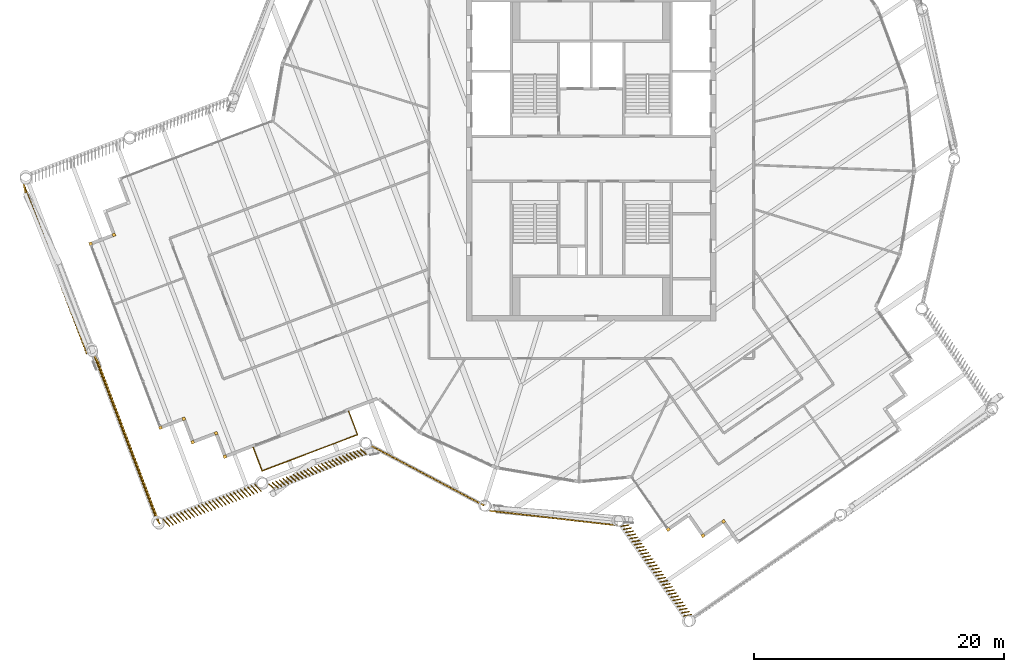
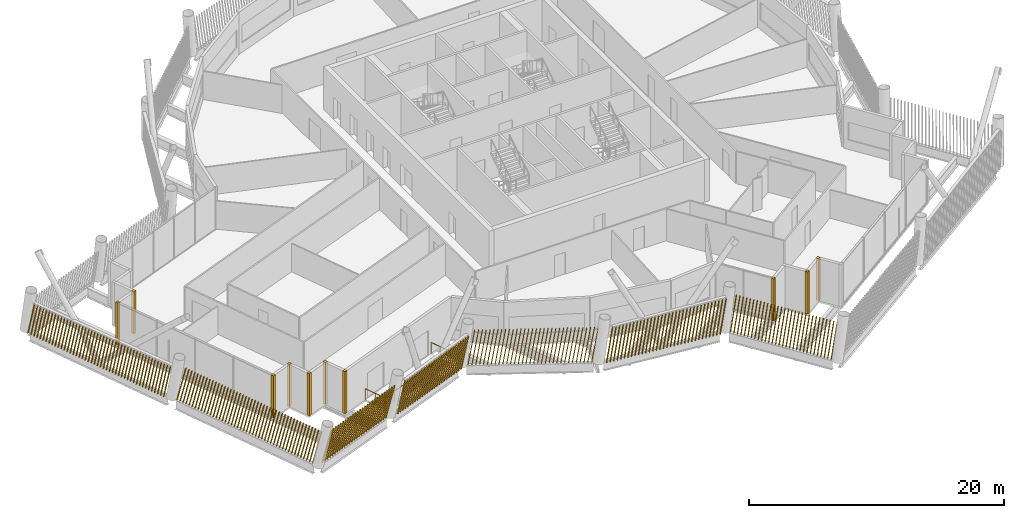
# One storey, part 29 of 33: 17 shading devices, 1 railing.
"""IFC4 building model written with IfcOpenShell, lengths in metres."""

from ifc_helpers import new_model, si_unit, direction, frame, frame_2d, origin, origin_2d, place, context, subcontext, project, spatial, rectangle, circle, composite_profile, extrude, material, type_object, element, save


model = new_model("IFC4")

# Units and contexts
model_context = context("Model", 3, precision=1e-05, world=origin(), true_north=direction((0.0, 1.0)))
body_context = subcontext(model_context, "Body", "Model", "MODEL_VIEW")
ifc_project = project(units=[si_unit("LENGTHUNIT", "METRE"), si_unit("AREAUNIT", "SQUARE_METRE"), si_unit("VOLUMEUNIT", "CUBIC_METRE"), si_unit("PLANEANGLEUNIT", "RADIAN"), si_unit("MASSUNIT", "GRAM", prefix="KILO")], contexts=[model_context])

# Site, building, storey
site_placement = place(None, origin())
site = spatial("IfcSite", under=ifc_project, at=site_placement, CompositionType="ELEMENT")
building_placement = place(site_placement, origin())
building = spatial("IfcBuilding", under=site, at=building_placement, Name="Tarsis Ring Headquarters", CompositionType="ELEMENT")
storey_placement = place(building_placement, frame((0.0, 0.0, 369.199951171875)))
storey = spatial("IfcBuildingStorey", under=building, at=storey_placement, Name="L87", CompositionType="ELEMENT", Elevation=369.199951171875)

# Railing
ifc_material_1 = material(Name="Stainless steel guard", Category="steel")
railing_type = type_object("IfcRailingType", Name="Balcony balustrade with mesh infill 1100", PredefinedType="BALUSTRADE", material=ifc_material_1)
railing_placement = place(storey_placement, frame((-27.055419921875, -23.114013671875, 0.0)))
element("IfcRailing", 1, at=railing_placement, inside=storey, type_object=railing_type, Name="Balcony balustrade L87-01", PredefinedType="BALUSTRADE", context=body_context, shape_type="SweptSolid", body=[
    extrude(circle(Radius=0.030029296875, at=origin_2d()), frame((0.0, 0.0, 1.070068359375), z_axis=(0.355106822561, -0.934825729519, 0.0), x_axis=(0.934825729519, 0.355106822561, 0.0)), (0.0, 0.0, 1.0), 2.0),
    extrude(circle(Radius=0.030029296875, at=origin_2d()), frame((0.710205078125, -1.86962890625, 1.070068359375), z_axis=(0.934829007255, 0.355098193737, 0.0), x_axis=(-0.355098193737, 0.934829007255, 0.0)), (0.0, 0.0, 1.0), 8.171875),
    extrude(circle(Radius=0.030029296875, at=origin_2d()), frame((8.349609375, 1.0322265625, 1.070068359375), z_axis=(-0.355106822561, 0.934825729519, 0.0), x_axis=(-0.934825729519, -0.355106822561, 0.0)), (0.0, 0.0, 1.0), 2.0),
    extrude(circle(Radius=0.02490234375, at=origin_2d()), origin(), (0.0, 0.0, 1.0), 1.0400390625),
    extrude(circle(Radius=0.02490234375, at=origin_2d()), frame((0.35498046875, -0.934814453125, 0.0)), (0.0, 0.0, 1.0), 1.0400390625),
    extrude(circle(Radius=0.02490234375, at=origin_2d()), frame((0.710205078125, -1.86962890625, 0.0)), (0.0, 0.0, 1.0), 1.0400390625),
    extrude(circle(Radius=0.02490234375, at=origin_2d()), frame((1.801513671875, -1.455078125, 0.0)), (0.0, 0.0, 1.0), 1.0400390625),
    extrude(circle(Radius=0.02490234375, at=origin_2d()), frame((2.892822265625, -1.04052734375, 0.0)), (0.0, 0.0, 1.0), 1.0400390625),
    extrude(circle(Radius=0.02490234375, at=origin_2d()), frame((3.984130859375, -0.6259765625, 0.0)), (0.0, 0.0, 1.0), 1.0400390625),
    extrude(circle(Radius=0.02490234375, at=origin_2d()), frame((5.07568359375, -0.21142578125, 0.0)), (0.0, 0.0, 1.0), 1.0400390625),
    extrude(circle(Radius=0.02490234375, at=origin_2d()), frame((6.1669921875, 0.203125, 0.0)), (0.0, 0.0, 1.0), 1.0400390625),
    extrude(circle(Radius=0.02490234375, at=origin_2d()), frame((7.25830078125, 0.61767578125, 0.0)), (0.0, 0.0, 1.0), 1.0400390625),
    extrude(circle(Radius=0.02490234375, at=origin_2d()), frame((8.349609375, 1.0322265625, 0.0)), (0.0, 0.0, 1.0), 1.0400390625),
    extrude(circle(Radius=0.02490234375, at=origin_2d()), frame((7.99462890625, 1.967041015625, 0.0)), (0.0, 0.0, 1.0), 1.0400390625),
    extrude(circle(Radius=0.02490234375, at=origin_2d()), frame((7.639404296875, 2.90185546875, 0.0)), (0.0, 0.0, 1.0), 1.0400390625),
])

# Shading devices
ifc_material_2 = material(Name="Terracotta baguette", Category="masonry")
shading_device_type_1 = type_object("IfcShadingDeviceType", Name="Terracotta baguette screen", PredefinedType="USERDEFINED", material=ifc_material_2)
shading_device_1_placement = place(storey_placement, frame((-8.1357421875, -28.1787109375, 0.0), z_axis=(0.0, 0.0, 1.0), x_axis=(0.993554028732, -0.113454091193, 0.0)))
element("IfcShadingDevice", 2, at=shading_device_1_placement, inside=storey, type_object=shading_device_type_1, Name="Baguette screen L87-00", ObjectType="Terracotta baguette screen", PredefinedType="USERDEFINED", context=body_context, shape_type="SweptSolid", body=[
    extrude(composite_profile([rectangle(XDim=0.06005859375, YDim=0.1201171875, at=frame_2d((0.030029296875, 0.0))), rectangle(XDim=0.06005859375, YDim=0.1201171875, at=frame_2d((0.33349609375, 0.0))), rectangle(XDim=0.06005859375, YDim=0.1201171875, at=frame_2d((0.636962890625, 0.0))), rectangle(XDim=0.06005859375, YDim=0.1201171875, at=frame_2d((0.9404296875, 0.0))), rectangle(XDim=0.06005859375, YDim=0.1201171875, at=frame_2d((1.243896484375, 0.0))), rectangle(XDim=0.06005859375, YDim=0.1201171875, at=frame_2d((1.54736328125, 0.0))), rectangle(XDim=0.06005859375, YDim=0.1201171875, at=frame_2d((1.85107421875, 0.0))), rectangle(XDim=0.06005859375, YDim=0.1201171875, at=frame_2d((2.154541015625, 0.0))), rectangle(XDim=0.06005859375, YDim=0.1201171875, at=frame_2d((2.4580078125, 0.0))), rectangle(XDim=0.06005859375, YDim=0.1201171875, at=frame_2d((2.761474609375, 0.0))), rectangle(XDim=0.06005859375, YDim=0.1201171875, at=frame_2d((3.06494140625, 0.0))), rectangle(XDim=0.06005859375, YDim=0.1201171875, at=frame_2d((3.368408203125, 0.0))), rectangle(XDim=0.06005859375, YDim=0.1201171875, at=frame_2d((3.671875, 0.0))), rectangle(XDim=0.06005859375, YDim=0.1201171875, at=frame_2d((3.975341796875, 0.0))), rectangle(XDim=0.06005859375, YDim=0.1201171875, at=frame_2d((4.27880859375, 0.0))), rectangle(XDim=0.06005859375, YDim=0.1201171875, at=frame_2d((4.582275390625, 0.0))), rectangle(XDim=0.06005859375, YDim=0.1201171875, at=frame_2d((4.8857421875, 0.0))), rectangle(XDim=0.06005859375, YDim=0.1201171875, at=frame_2d((5.189453125, 0.0))), rectangle(XDim=0.06005859375, YDim=0.1201171875, at=frame_2d((5.492919921875, 0.0))), rectangle(XDim=0.06005859375, YDim=0.1201171875, at=frame_2d((5.79638671875, 0.0))), rectangle(XDim=0.06005859375, YDim=0.1201171875, at=frame_2d((6.099853515625, 0.0))), rectangle(XDim=0.06005859375, YDim=0.1201171875, at=frame_2d((6.4033203125, 0.0))), rectangle(XDim=0.06005859375, YDim=0.1201171875, at=frame_2d((6.706787109375, 0.0))), rectangle(XDim=0.06005859375, YDim=0.1201171875, at=frame_2d((7.01025390625, 0.0))), rectangle(XDim=0.06005859375, YDim=0.1201171875, at=frame_2d((7.313720703125, 0.0))), rectangle(XDim=0.06005859375, YDim=0.1201171875, at=frame_2d((7.6171875, 0.0))), rectangle(XDim=0.06005859375, YDim=0.1201171875, at=frame_2d((7.920654296875, 0.0))), rectangle(XDim=0.06005859375, YDim=0.1201171875, at=frame_2d((8.224365234375, 0.0))), rectangle(XDim=0.06005859375, YDim=0.1201171875, at=frame_2d((8.52783203125, 0.0))), rectangle(XDim=0.06005859375, YDim=0.1201171875, at=frame_2d((8.831298828125, 0.0))), rectangle(XDim=0.06005859375, YDim=0.1201171875, at=frame_2d((9.134765625, 0.0))), rectangle(XDim=0.06005859375, YDim=0.1201171875, at=frame_2d((9.438232421875, 0.0))), rectangle(XDim=0.06005859375, YDim=0.1201171875, at=frame_2d((9.74169921875, 0.0)))]), origin(), (0.157999183958, 0.001432166411, 0.987438204025), 3.322265625),
])
shading_device_2_placement = place(storey_placement, frame((2.397705078125, -29.382080078125, 0.0), z_axis=(0.0, 0.0, 1.0), x_axis=(0.570695726922, -0.821174056512, 0.0)))
element("IfcShadingDevice", 3, at=shading_device_2_placement, inside=storey, type_object=shading_device_type_1, Name="Baguette screen L87-01", ObjectType="Terracotta baguette screen", PredefinedType="USERDEFINED", context=body_context, shape_type="SweptSolid", body=[
    extrude(composite_profile([rectangle(XDim=0.06005859375, YDim=0.1201171875, at=frame_2d((0.030029296875, 0.0))), rectangle(XDim=0.06005859375, YDim=0.1201171875, at=frame_2d((0.33154296875, 0.0))), rectangle(XDim=0.06005859375, YDim=0.1201171875, at=frame_2d((0.633056640625, 0.0))), rectangle(XDim=0.06005859375, YDim=0.1201171875, at=frame_2d((0.9345703125, 0.0))), rectangle(XDim=0.06005859375, YDim=0.1201171875, at=frame_2d((1.236083984375, 0.0))), rectangle(XDim=0.06005859375, YDim=0.1201171875, at=frame_2d((1.53759765625, 0.0))), rectangle(XDim=0.06005859375, YDim=0.1201171875, at=frame_2d((1.839111328125, 0.0))), rectangle(XDim=0.06005859375, YDim=0.1201171875, at=frame_2d((2.140625, 0.0))), rectangle(XDim=0.06005859375, YDim=0.1201171875, at=frame_2d((2.442138671875, 0.0))), rectangle(XDim=0.06005859375, YDim=0.1201171875, at=frame_2d((2.74365234375, 0.0))), rectangle(XDim=0.06005859375, YDim=0.1201171875, at=frame_2d((3.045166015625, 0.0))), rectangle(XDim=0.06005859375, YDim=0.1201171875, at=frame_2d((3.3466796875, 0.0))), rectangle(XDim=0.06005859375, YDim=0.1201171875, at=frame_2d((3.648193359375, 0.0))), rectangle(XDim=0.06005859375, YDim=0.1201171875, at=frame_2d((3.94970703125, 0.0))), rectangle(XDim=0.06005859375, YDim=0.1201171875, at=frame_2d((4.251220703125, 0.0))), rectangle(XDim=0.06005859375, YDim=0.1201171875, at=frame_2d((4.552978515625, 0.0))), rectangle(XDim=0.06005859375, YDim=0.1201171875, at=frame_2d((4.8544921875, 0.0))), rectangle(XDim=0.06005859375, YDim=0.1201171875, at=frame_2d((5.156005859375, 0.0))), rectangle(XDim=0.06005859375, YDim=0.1201171875, at=frame_2d((5.45751953125, 0.0))), rectangle(XDim=0.06005859375, YDim=0.1201171875, at=frame_2d((5.759033203125, 0.0))), rectangle(XDim=0.06005859375, YDim=0.1201171875, at=frame_2d((6.060546875, 0.0))), rectangle(XDim=0.06005859375, YDim=0.1201171875, at=frame_2d((6.362060546875, 0.0))), rectangle(XDim=0.06005859375, YDim=0.1201171875, at=frame_2d((6.66357421875, 0.0))), rectangle(XDim=0.06005859375, YDim=0.1201171875, at=frame_2d((6.965087890625, 0.0))), rectangle(XDim=0.06005859375, YDim=0.1201171875, at=frame_2d((7.2666015625, 0.0))), rectangle(XDim=0.06005859375, YDim=0.1201171875, at=frame_2d((7.568115234375, 0.0))), rectangle(XDim=0.06005859375, YDim=0.1201171875, at=frame_2d((7.86962890625, 0.0))), rectangle(XDim=0.06005859375, YDim=0.1201171875, at=frame_2d((8.171142578125, 0.0))), rectangle(XDim=0.06005859375, YDim=0.1201171875, at=frame_2d((8.47265625, 0.0))), rectangle(XDim=0.06005859375, YDim=0.1201171875, at=frame_2d((8.774169921875, 0.0)))]), origin(), (0.079044722109, 0.163404802163, 0.983387412232), 3.3359375),
])
shading_device_3_placement = place(storey_placement, frame((-45.439208984375, -1.963623046875, 0.0), z_axis=(0.0, 0.0, 1.0), x_axis=(0.355117204777, -0.93482529854, 0.0)))
element("IfcShadingDevice", 4, at=shading_device_3_placement, inside=storey, type_object=shading_device_type_1, Name="Baguette screen L87-15", ObjectType="Terracotta baguette screen", PredefinedType="USERDEFINED", context=body_context, shape_type="SweptSolid", body=[
    extrude(composite_profile([rectangle(XDim=0.06005859375, YDim=0.1201171875, at=frame_2d((0.030029296875, 0.0))), rectangle(XDim=0.06005859375, YDim=0.1201171875, at=frame_2d((0.33544921875, 0.0))), rectangle(XDim=0.06005859375, YDim=0.1201171875, at=frame_2d((0.640625, 0.0))), rectangle(XDim=0.06005859375, YDim=0.1201171875, at=frame_2d((0.946044921875, 0.0))), rectangle(XDim=0.06005859375, YDim=0.1201171875, at=frame_2d((1.25146484375, 0.0))), rectangle(XDim=0.06005859375, YDim=0.1201171875, at=frame_2d((1.556640625, 0.0))), rectangle(XDim=0.06005859375, YDim=0.1201171875, at=frame_2d((1.862060546875, 0.0))), rectangle(XDim=0.06005859375, YDim=0.1201171875, at=frame_2d((2.16748046875, 0.0))), rectangle(XDim=0.06005859375, YDim=0.1201171875, at=frame_2d((2.47265625, 0.0))), rectangle(XDim=0.06005859375, YDim=0.1201171875, at=frame_2d((2.778076171875, 0.0))), rectangle(XDim=0.06005859375, YDim=0.1201171875, at=frame_2d((3.08349609375, 0.0))), rectangle(XDim=0.06005859375, YDim=0.1201171875, at=frame_2d((3.388671875, 0.0))), rectangle(XDim=0.06005859375, YDim=0.1201171875, at=frame_2d((3.694091796875, 0.0))), rectangle(XDim=0.06005859375, YDim=0.1201171875, at=frame_2d((3.99951171875, 0.0))), rectangle(XDim=0.06005859375, YDim=0.1201171875, at=frame_2d((4.3046875, 0.0))), rectangle(XDim=0.06005859375, YDim=0.1201171875, at=frame_2d((4.610107421875, 0.0))), rectangle(XDim=0.06005859375, YDim=0.1201171875, at=frame_2d((4.91552734375, 0.0))), rectangle(XDim=0.06005859375, YDim=0.1201171875, at=frame_2d((5.220703125, 0.0))), rectangle(XDim=0.06005859375, YDim=0.1201171875, at=frame_2d((5.526123046875, 0.0))), rectangle(XDim=0.06005859375, YDim=0.1201171875, at=frame_2d((5.83154296875, 0.0))), rectangle(XDim=0.06005859375, YDim=0.1201171875, at=frame_2d((6.13671875, 0.0))), rectangle(XDim=0.06005859375, YDim=0.1201171875, at=frame_2d((6.442138671875, 0.0))), rectangle(XDim=0.06005859375, YDim=0.1201171875, at=frame_2d((6.74755859375, 0.0))), rectangle(XDim=0.06005859375, YDim=0.1201171875, at=frame_2d((7.052734375, 0.0))), rectangle(XDim=0.06005859375, YDim=0.1201171875, at=frame_2d((7.358154296875, 0.0))), rectangle(XDim=0.06005859375, YDim=0.1201171875, at=frame_2d((7.66357421875, 0.0))), rectangle(XDim=0.06005859375, YDim=0.1201171875, at=frame_2d((7.96875, 0.0))), rectangle(XDim=0.06005859375, YDim=0.1201171875, at=frame_2d((8.274169921875, 0.0))), rectangle(XDim=0.06005859375, YDim=0.1201171875, at=frame_2d((8.57958984375, 0.0))), rectangle(XDim=0.06005859375, YDim=0.1201171875, at=frame_2d((8.884765625, 0.0))), rectangle(XDim=0.06005859375, YDim=0.1201171875, at=frame_2d((9.190185546875, 0.0))), rectangle(XDim=0.06005859375, YDim=0.1201171875, at=frame_2d((9.49560546875, 0.0))), rectangle(XDim=0.06005859375, YDim=0.1201171875, at=frame_2d((9.80078125, 0.0))), rectangle(XDim=0.06005859375, YDim=0.1201171875, at=frame_2d((10.106201171875, 0.0))), rectangle(XDim=0.06005859375, YDim=0.1201171875, at=frame_2d((10.41162109375, 0.0))), rectangle(XDim=0.06005859375, YDim=0.1201171875, at=frame_2d((10.716796875, 0.0))), rectangle(XDim=0.06005859375, YDim=0.1201171875, at=frame_2d((11.022216796875, 0.0))), rectangle(XDim=0.06005859375, YDim=0.1201171875, at=frame_2d((11.32763671875, 0.0))), rectangle(XDim=0.06005859375, YDim=0.1201171875, at=frame_2d((11.6328125, 0.0))), rectangle(XDim=0.06005859375, YDim=0.1201171875, at=frame_2d((11.938232421875, 0.0))), rectangle(XDim=0.06005859375, YDim=0.1201171875, at=frame_2d((12.24365234375, 0.0))), rectangle(XDim=0.06005859375, YDim=0.1201171875, at=frame_2d((12.548828125, 0.0))), rectangle(XDim=0.06005859375, YDim=0.1201171875, at=frame_2d((12.854248046875, 0.0))), rectangle(XDim=0.06005859375, YDim=0.1201171875, at=frame_2d((13.15966796875, 0.0))), rectangle(XDim=0.06005859375, YDim=0.1201171875, at=frame_2d((13.46484375, 0.0))), rectangle(XDim=0.06005859375, YDim=0.1201171875, at=frame_2d((13.770263671875, 0.0)))]), origin(), (0.232518352248, -0.037685975516, 0.971861606978), 3.37548828125),
])
shading_device_4_placement = place(storey_placement, frame((-39.8330078125, -15.666015625, 0.0), z_axis=(0.0, 0.0, 1.0), x_axis=(0.35509951349, -0.93482529854, 0.0)))
element("IfcShadingDevice", 5, at=shading_device_4_placement, inside=storey, type_object=shading_device_type_1, Name="Baguette screen L87-16", ObjectType="Terracotta baguette screen", PredefinedType="USERDEFINED", context=body_context, shape_type="SweptSolid", body=[
    extrude(composite_profile([rectangle(XDim=0.06005859375, YDim=0.1201171875, at=frame_2d((0.030029296875, 0.0))), rectangle(XDim=0.06005859375, YDim=0.1201171875, at=frame_2d((0.33544921875, 0.0))), rectangle(XDim=0.06005859375, YDim=0.1201171875, at=frame_2d((0.640625, 0.0))), rectangle(XDim=0.06005859375, YDim=0.1201171875, at=frame_2d((0.946044921875, 0.0))), rectangle(XDim=0.06005859375, YDim=0.1201171875, at=frame_2d((1.25146484375, 0.0))), rectangle(XDim=0.06005859375, YDim=0.1201171875, at=frame_2d((1.556640625, 0.0))), rectangle(XDim=0.06005859375, YDim=0.1201171875, at=frame_2d((1.862060546875, 0.0))), rectangle(XDim=0.06005859375, YDim=0.1201171875, at=frame_2d((2.16748046875, 0.0))), rectangle(XDim=0.06005859375, YDim=0.1201171875, at=frame_2d((2.47265625, 0.0))), rectangle(XDim=0.06005859375, YDim=0.1201171875, at=frame_2d((2.778076171875, 0.0))), rectangle(XDim=0.06005859375, YDim=0.1201171875, at=frame_2d((3.08349609375, 0.0))), rectangle(XDim=0.06005859375, YDim=0.1201171875, at=frame_2d((3.388671875, 0.0))), rectangle(XDim=0.06005859375, YDim=0.1201171875, at=frame_2d((3.694091796875, 0.0))), rectangle(XDim=0.06005859375, YDim=0.1201171875, at=frame_2d((3.99951171875, 0.0))), rectangle(XDim=0.06005859375, YDim=0.1201171875, at=frame_2d((4.3046875, 0.0))), rectangle(XDim=0.06005859375, YDim=0.1201171875, at=frame_2d((4.610107421875, 0.0))), rectangle(XDim=0.06005859375, YDim=0.1201171875, at=frame_2d((4.91552734375, 0.0))), rectangle(XDim=0.06005859375, YDim=0.1201171875, at=frame_2d((5.220703125, 0.0))), rectangle(XDim=0.06005859375, YDim=0.1201171875, at=frame_2d((5.526123046875, 0.0))), rectangle(XDim=0.06005859375, YDim=0.1201171875, at=frame_2d((5.83154296875, 0.0))), rectangle(XDim=0.06005859375, YDim=0.1201171875, at=frame_2d((6.13671875, 0.0))), rectangle(XDim=0.06005859375, YDim=0.1201171875, at=frame_2d((6.442138671875, 0.0))), rectangle(XDim=0.06005859375, YDim=0.1201171875, at=frame_2d((6.74755859375, 0.0))), rectangle(XDim=0.06005859375, YDim=0.1201171875, at=frame_2d((7.052734375, 0.0))), rectangle(XDim=0.06005859375, YDim=0.1201171875, at=frame_2d((7.358154296875, 0.0))), rectangle(XDim=0.06005859375, YDim=0.1201171875, at=frame_2d((7.66357421875, 0.0))), rectangle(XDim=0.06005859375, YDim=0.1201171875, at=frame_2d((7.96875, 0.0))), rectangle(XDim=0.06005859375, YDim=0.1201171875, at=frame_2d((8.274169921875, 0.0))), rectangle(XDim=0.06005859375, YDim=0.1201171875, at=frame_2d((8.57958984375, 0.0))), rectangle(XDim=0.06005859375, YDim=0.1201171875, at=frame_2d((8.884765625, 0.0))), rectangle(XDim=0.06005859375, YDim=0.1201171875, at=frame_2d((9.190185546875, 0.0))), rectangle(XDim=0.06005859375, YDim=0.1201171875, at=frame_2d((9.49560546875, 0.0))), rectangle(XDim=0.06005859375, YDim=0.1201171875, at=frame_2d((9.80078125, 0.0))), rectangle(XDim=0.06005859375, YDim=0.1201171875, at=frame_2d((10.106201171875, 0.0))), rectangle(XDim=0.06005859375, YDim=0.1201171875, at=frame_2d((10.41162109375, 0.0))), rectangle(XDim=0.06005859375, YDim=0.1201171875, at=frame_2d((10.716796875, 0.0))), rectangle(XDim=0.06005859375, YDim=0.1201171875, at=frame_2d((11.022216796875, 0.0))), rectangle(XDim=0.06005859375, YDim=0.1201171875, at=frame_2d((11.32763671875, 0.0))), rectangle(XDim=0.06005859375, YDim=0.1201171875, at=frame_2d((11.6328125, 0.0))), rectangle(XDim=0.06005859375, YDim=0.1201171875, at=frame_2d((11.938232421875, 0.0))), rectangle(XDim=0.06005859375, YDim=0.1201171875, at=frame_2d((12.24365234375, 0.0))), rectangle(XDim=0.06005859375, YDim=0.1201171875, at=frame_2d((12.548828125, 0.0))), rectangle(XDim=0.06005859375, YDim=0.1201171875, at=frame_2d((12.854248046875, 0.0))), rectangle(XDim=0.06005859375, YDim=0.1201171875, at=frame_2d((13.15966796875, 0.0))), rectangle(XDim=0.06005859375, YDim=0.1201171875, at=frame_2d((13.46484375, 0.0))), rectangle(XDim=0.06005859375, YDim=0.1201171875, at=frame_2d((13.770263671875, 0.0)))]), origin(), (0.229885283938, 0.041900348829, 0.97231533825), 3.3740234375),
])
shading_device_5_placement = place(storey_placement, frame((-34.28759765625, -28.8564453125, 0.0), z_axis=(0.0, 0.0, 1.0), x_axis=(0.934812160158, 0.355103806228, 0.0)))
element("IfcShadingDevice", 6, at=shading_device_5_placement, inside=storey, type_object=shading_device_type_1, Name="Baguette screen L87-17", ObjectType="Terracotta baguette screen", PredefinedType="USERDEFINED", context=body_context, shape_type="SweptSolid", body=[
    extrude(composite_profile([rectangle(XDim=0.06005859375, YDim=0.1201171875, at=frame_2d((0.030029296875, 0.0))), rectangle(XDim=0.06005859375, YDim=0.1201171875, at=frame_2d((0.33154296875, 0.0))), rectangle(XDim=0.06005859375, YDim=0.1201171875, at=frame_2d((0.63330078125, 0.0))), rectangle(XDim=0.06005859375, YDim=0.1201171875, at=frame_2d((0.934814453125, 0.0))), rectangle(XDim=0.06005859375, YDim=0.1201171875, at=frame_2d((1.236572265625, 0.0))), rectangle(XDim=0.06005859375, YDim=0.1201171875, at=frame_2d((1.5380859375, 0.0))), rectangle(XDim=0.06005859375, YDim=0.1201171875, at=frame_2d((1.83984375, 0.0))), rectangle(XDim=0.06005859375, YDim=0.1201171875, at=frame_2d((2.141357421875, 0.0))), rectangle(XDim=0.06005859375, YDim=0.1201171875, at=frame_2d((2.443115234375, 0.0))), rectangle(XDim=0.06005859375, YDim=0.1201171875, at=frame_2d((2.74462890625, 0.0))), rectangle(XDim=0.06005859375, YDim=0.1201171875, at=frame_2d((3.04638671875, 0.0))), rectangle(XDim=0.06005859375, YDim=0.1201171875, at=frame_2d((3.347900390625, 0.0))), rectangle(XDim=0.06005859375, YDim=0.1201171875, at=frame_2d((3.649658203125, 0.0))), rectangle(XDim=0.06005859375, YDim=0.1201171875, at=frame_2d((3.951171875, 0.0))), rectangle(XDim=0.06005859375, YDim=0.1201171875, at=frame_2d((4.252685546875, 0.0))), rectangle(XDim=0.06005859375, YDim=0.1201171875, at=frame_2d((4.554443359375, 0.0))), rectangle(XDim=0.06005859375, YDim=0.1201171875, at=frame_2d((4.85595703125, 0.0))), rectangle(XDim=0.06005859375, YDim=0.1201171875, at=frame_2d((5.15771484375, 0.0))), rectangle(XDim=0.06005859375, YDim=0.1201171875, at=frame_2d((5.459228515625, 0.0))), rectangle(XDim=0.06005859375, YDim=0.1201171875, at=frame_2d((5.760986328125, 0.0))), rectangle(XDim=0.06005859375, YDim=0.1201171875, at=frame_2d((6.0625, 0.0))), rectangle(XDim=0.06005859375, YDim=0.1201171875, at=frame_2d((6.3642578125, 0.0))), rectangle(XDim=0.06005859375, YDim=0.1201171875, at=frame_2d((6.665771484375, 0.0))), rectangle(XDim=0.06005859375, YDim=0.1201171875, at=frame_2d((6.967529296875, 0.0))), rectangle(XDim=0.06005859375, YDim=0.1201171875, at=frame_2d((7.26904296875, 0.0))), rectangle(XDim=0.06005859375, YDim=0.1201171875, at=frame_2d((7.57080078125, 0.0))), rectangle(XDim=0.06005859375, YDim=0.1201171875, at=frame_2d((7.872314453125, 0.0)))]), origin(), (0.081722508209, -0.206165409654, 0.975098587587), 3.3642578125),
])
shading_device_6_placement = place(storey_placement, frame((-25.832275390625, -26.045654296875, 0.0), z_axis=(0.0, 0.0, 1.0), x_axis=(0.934812160158, 0.355103806228, 0.0)))
element("IfcShadingDevice", 7, at=shading_device_6_placement, inside=storey, type_object=shading_device_type_1, Name="Baguette screen L87-18", ObjectType="Terracotta baguette screen", PredefinedType="USERDEFINED", context=body_context, shape_type="SweptSolid", body=[
    extrude(composite_profile([rectangle(XDim=0.06005859375, YDim=0.1201171875, at=frame_2d((0.030029296875, 0.0))), rectangle(XDim=0.06005859375, YDim=0.1201171875, at=frame_2d((0.33154296875, 0.0))), rectangle(XDim=0.06005859375, YDim=0.1201171875, at=frame_2d((0.63330078125, 0.0))), rectangle(XDim=0.06005859375, YDim=0.1201171875, at=frame_2d((0.934814453125, 0.0))), rectangle(XDim=0.06005859375, YDim=0.1201171875, at=frame_2d((1.236572265625, 0.0))), rectangle(XDim=0.06005859375, YDim=0.1201171875, at=frame_2d((1.5380859375, 0.0))), rectangle(XDim=0.06005859375, YDim=0.1201171875, at=frame_2d((1.83984375, 0.0))), rectangle(XDim=0.06005859375, YDim=0.1201171875, at=frame_2d((2.141357421875, 0.0))), rectangle(XDim=0.06005859375, YDim=0.1201171875, at=frame_2d((2.443115234375, 0.0))), rectangle(XDim=0.06005859375, YDim=0.1201171875, at=frame_2d((2.74462890625, 0.0))), rectangle(XDim=0.06005859375, YDim=0.1201171875, at=frame_2d((3.04638671875, 0.0))), rectangle(XDim=0.06005859375, YDim=0.1201171875, at=frame_2d((3.347900390625, 0.0))), rectangle(XDim=0.06005859375, YDim=0.1201171875, at=frame_2d((3.649658203125, 0.0))), rectangle(XDim=0.06005859375, YDim=0.1201171875, at=frame_2d((3.951171875, 0.0))), rectangle(XDim=0.06005859375, YDim=0.1201171875, at=frame_2d((4.252685546875, 0.0))), rectangle(XDim=0.06005859375, YDim=0.1201171875, at=frame_2d((4.554443359375, 0.0))), rectangle(XDim=0.06005859375, YDim=0.1201171875, at=frame_2d((4.85595703125, 0.0))), rectangle(XDim=0.06005859375, YDim=0.1201171875, at=frame_2d((5.15771484375, 0.0))), rectangle(XDim=0.06005859375, YDim=0.1201171875, at=frame_2d((5.459228515625, 0.0))), rectangle(XDim=0.06005859375, YDim=0.1201171875, at=frame_2d((5.760986328125, 0.0))), rectangle(XDim=0.06005859375, YDim=0.1201171875, at=frame_2d((6.0625, 0.0))), rectangle(XDim=0.06005859375, YDim=0.1201171875, at=frame_2d((6.3642578125, 0.0))), rectangle(XDim=0.06005859375, YDim=0.1201171875, at=frame_2d((6.665771484375, 0.0))), rectangle(XDim=0.06005859375, YDim=0.1201171875, at=frame_2d((6.967529296875, 0.0))), rectangle(XDim=0.06005859375, YDim=0.1201171875, at=frame_2d((7.26904296875, 0.0))), rectangle(XDim=0.06005859375, YDim=0.1201171875, at=frame_2d((7.57080078125, 0.0))), rectangle(XDim=0.06005859375, YDim=0.1201171875, at=frame_2d((7.872314453125, 0.0)))]), origin(), (0.084037314793, -0.159501026368, 0.983614331082), 3.335205078125),
])
shading_device_7_placement = place(storey_placement, frame((-17.6689453125, -22.9453125, 0.0), z_axis=(0.0, 0.0, 1.0), x_axis=(0.883875480937, -0.467695997602, 0.0)))
element("IfcShadingDevice", 8, at=shading_device_7_placement, inside=storey, type_object=shading_device_type_1, Name="Baguette screen L87-19", ObjectType="Terracotta baguette screen", PredefinedType="USERDEFINED", context=body_context, shape_type="SweptSolid", body=[
    extrude(composite_profile([rectangle(XDim=0.06005859375, YDim=0.1201171875, at=frame_2d((0.030029296875, 0.0))), rectangle(XDim=0.06005859375, YDim=0.1201171875, at=frame_2d((0.33349609375, 0.0))), rectangle(XDim=0.06005859375, YDim=0.1201171875, at=frame_2d((0.636962890625, 0.0))), rectangle(XDim=0.06005859375, YDim=0.1201171875, at=frame_2d((0.9404296875, 0.0))), rectangle(XDim=0.06005859375, YDim=0.1201171875, at=frame_2d((1.243896484375, 0.0))), rectangle(XDim=0.06005859375, YDim=0.1201171875, at=frame_2d((1.54736328125, 0.0))), rectangle(XDim=0.06005859375, YDim=0.1201171875, at=frame_2d((1.85107421875, 0.0))), rectangle(XDim=0.06005859375, YDim=0.1201171875, at=frame_2d((2.154541015625, 0.0))), rectangle(XDim=0.06005859375, YDim=0.1201171875, at=frame_2d((2.4580078125, 0.0))), rectangle(XDim=0.06005859375, YDim=0.1201171875, at=frame_2d((2.761474609375, 0.0))), rectangle(XDim=0.06005859375, YDim=0.1201171875, at=frame_2d((3.06494140625, 0.0))), rectangle(XDim=0.06005859375, YDim=0.1201171875, at=frame_2d((3.368408203125, 0.0))), rectangle(XDim=0.06005859375, YDim=0.1201171875, at=frame_2d((3.671875, 0.0))), rectangle(XDim=0.06005859375, YDim=0.1201171875, at=frame_2d((3.975341796875, 0.0))), rectangle(XDim=0.06005859375, YDim=0.1201171875, at=frame_2d((4.27880859375, 0.0))), rectangle(XDim=0.06005859375, YDim=0.1201171875, at=frame_2d((4.582275390625, 0.0))), rectangle(XDim=0.06005859375, YDim=0.1201171875, at=frame_2d((4.8857421875, 0.0))), rectangle(XDim=0.06005859375, YDim=0.1201171875, at=frame_2d((5.189453125, 0.0))), rectangle(XDim=0.06005859375, YDim=0.1201171875, at=frame_2d((5.492919921875, 0.0))), rectangle(XDim=0.06005859375, YDim=0.1201171875, at=frame_2d((5.79638671875, 0.0))), rectangle(XDim=0.06005859375, YDim=0.1201171875, at=frame_2d((6.099853515625, 0.0))), rectangle(XDim=0.06005859375, YDim=0.1201171875, at=frame_2d((6.4033203125, 0.0))), rectangle(XDim=0.06005859375, YDim=0.1201171875, at=frame_2d((6.706787109375, 0.0))), rectangle(XDim=0.06005859375, YDim=0.1201171875, at=frame_2d((7.01025390625, 0.0))), rectangle(XDim=0.06005859375, YDim=0.1201171875, at=frame_2d((7.313720703125, 0.0))), rectangle(XDim=0.06005859375, YDim=0.1201171875, at=frame_2d((7.6171875, 0.0))), rectangle(XDim=0.06005859375, YDim=0.1201171875, at=frame_2d((7.920654296875, 0.0))), rectangle(XDim=0.06005859375, YDim=0.1201171875, at=frame_2d((8.224365234375, 0.0))), rectangle(XDim=0.06005859375, YDim=0.1201171875, at=frame_2d((8.52783203125, 0.0))), rectangle(XDim=0.06005859375, YDim=0.1201171875, at=frame_2d((8.831298828125, 0.0))), rectangle(XDim=0.06005859375, YDim=0.1201171875, at=frame_2d((9.134765625, 0.0))), rectangle(XDim=0.06005859375, YDim=0.1201171875, at=frame_2d((9.438232421875, 0.0))), rectangle(XDim=0.06005859375, YDim=0.1201171875, at=frame_2d((9.74169921875, 0.0)))]), origin(), (0.155997018499, 0.001416264844, 0.987756510691), 3.3212890625),
])
shading_device_type_2 = type_object("IfcShadingDeviceType", Name="Terracotta corner baguette 250x250", PredefinedType="USERDEFINED", material=ifc_material_2)
for number, where, z_axis, x_axis, name in (
    (9, (-29.320068359375, -23.840576171875, 0.0), (0.0, 0.0, 1.0), (0.355107060303, -0.934825639209, 0.0), "Corner baguette L87-01"),
    (10, (6.157470703125, -29.666748046875, 0.0), (0.0, 0.0, 1.0), (0.570713653675, -0.821149149369, 0.0), "Corner baguette L87-07"),
    (11, (8.941162109375, -30.167724609375, 0.0), (0.0, 0.0, 1.0), (0.570713954642, -0.821148940191, 0.0), "Corner baguette L87-09"),
    (12, (10.58349609375, -29.026123046875, 0.0), (0.0, 0.0, 1.0), (0.821149338624, 0.570713381372, 0.0), "Corner baguette L87-10"),
    (13, (-38.202880859375, -6.087890625, 0.0), (0.0, 0.0, 1.0), (0.355107060303, -0.934825639209, 0.0), "Corner baguette L87-35"),
    (14, (-40.07275390625, -6.798095703125, 0.0), (0.0, 0.0, 1.0), (-0.934825707385, -0.355106880829, 0.0), "Corner baguette L87-36"),
    (15, (-34.479736328125, -21.521728515625, 0.0), (0.0, 0.0, 1.0), (0.35510699504, -0.934825664, 0.0), "Corner baguette L87-37"),
    (16, (-32.610107421875, -20.8115234375, 0.0), (0.0, 0.0, 1.0), (0.934825639209, 0.355107060303, 0.0), "Corner baguette L87-38"),
    (17, (-31.89990234375, -22.68115234375, 0.0), (0.0, 0.0, 1.0), (0.355106880829, -0.934825707385, 0.0), "Corner baguette L87-39"),
    (18, (-30.0302734375, -21.970947265625, 0.0), (0.0, 0.0, 1.0), (0.934825707385, 0.355106880829, 0.0), "Corner baguette L87-40"),
):
    element("IfcShadingDevice", number, at=place(storey_placement, frame(where, z_axis=z_axis, x_axis=x_axis)), inside=storey, type_object=shading_device_type_2, Name=name, ObjectType="Terracotta corner baguette", PredefinedType="USERDEFINED", context=body_context, shape_type="SweptSolid", body=[
        extrude(rectangle(XDim=0.25, YDim=0.25, at=origin_2d()), origin(), (0.0, 0.0, 1.0), 4.0400390625),
    ])

save(model, "model.ifc")
